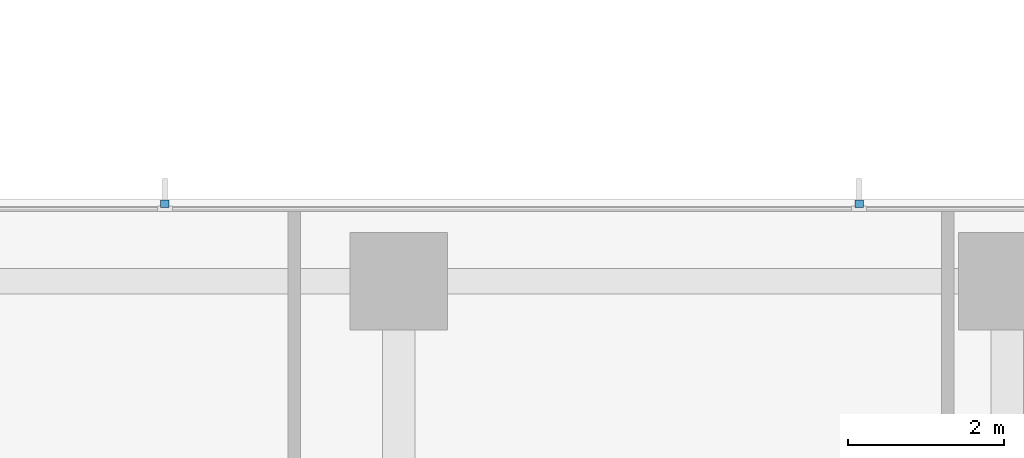
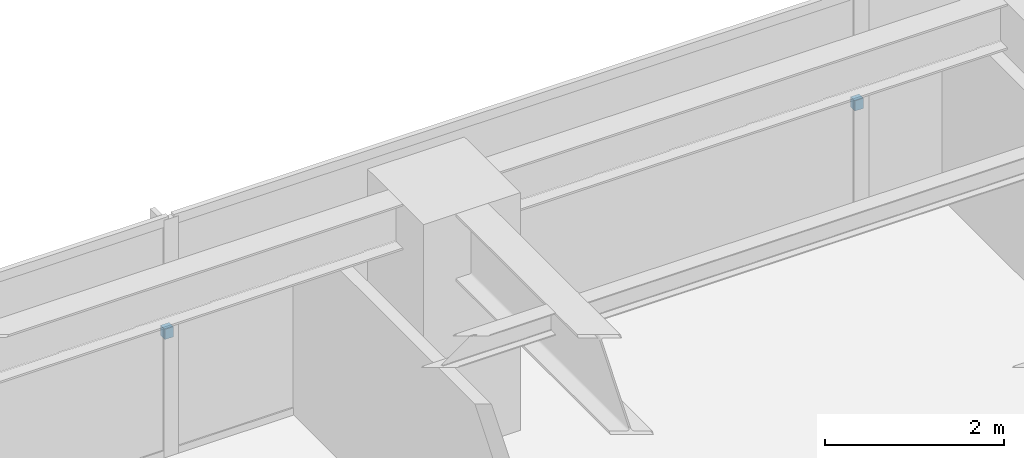
# One storey, part 15 of 18: 2 discrete accessories.
"""IFC4 building model written with IfcOpenShell, lengths in metres."""

from ifc_helpers import new_model, si_unit, direction, frame, origin, place, context, subcontext, project, spatial, polyline, outline, extrude, material, type_object, element, save


model = new_model("IFC4")

# Units and contexts
model_context = context("Model", 3, precision=1e-05, world=origin(), true_north=direction((0.0, 1.0)))
body_context = subcontext(model_context, "Body", "Model", "MODEL_VIEW")
ifc_project = project(units=[si_unit("LENGTHUNIT", "METRE"), si_unit("AREAUNIT", "SQUARE_METRE"), si_unit("VOLUMEUNIT", "CUBIC_METRE"), si_unit("PLANEANGLEUNIT", "RADIAN"), si_unit("MASSUNIT", "GRAM", prefix="KILO")], contexts=[model_context])

# Site, building, storey
site_placement = place(None, origin())
site = spatial("IfcSite", under=ifc_project, at=site_placement, CompositionType="ELEMENT")
building_placement = place(site_placement, origin())
building = spatial("IfcBuilding", under=site, at=building_placement, Name="Qalmaran Belvedere Hotel", CompositionType="ELEMENT")
storey_placement = place(building_placement, frame((0.0, 0.0, 95.199951171875)))
storey = spatial("IfcBuildingStorey", under=building, at=storey_placement, Name="L23", CompositionType="ELEMENT", Elevation=95.199951171875)

# Discrete accessories
ifc_material = material(Name="Stainless Steel 1.4401", Category="steel")
discrete_accessory_type = type_object("IfcDiscreteAccessoryType", Name="BRK-FIN-SS316", PredefinedType="BRACKET", material=ifc_material)
discrete_accessory_1_placement = place(storey_placement, frame((0.0, 0.0, 1.570068359375)))
element("IfcDiscreteAccessory", 1, at=discrete_accessory_1_placement, inside=storey, type_object=discrete_accessory_type, Name="L23 Fin Bracket 1", PredefinedType="BRACKET", context=body_context, shape_type="SweptSolid", body=[
    extrude(outline(polyline([(42.955078125, 46.39501953125), (42.955078125, 46.489990234375), (42.844970703125, 46.489990234375), (42.844970703125, 46.39501953125), (42.955078125, 46.39501953125)])), origin(), (0.0, 0.0, 1.0), 0.139892578125),
])
discrete_accessory_2_placement = place(storey_placement, frame((0.0, 0.0, 1.570068359375)))
element("IfcDiscreteAccessory", 2, at=discrete_accessory_2_placement, inside=storey, type_object=discrete_accessory_type, Name="L23 Fin Bracket 2", PredefinedType="BRACKET", context=body_context, shape_type="SweptSolid", body=[
    extrude(outline(polyline([(34.054931640625, 46.39501953125), (34.054931640625, 46.489990234375), (33.945068359375, 46.489990234375), (33.945068359375, 46.39501953125), (34.054931640625, 46.39501953125)])), origin(), (0.0, 0.0, 1.0), 0.139892578125),
])

save(model, "model.ifc")
